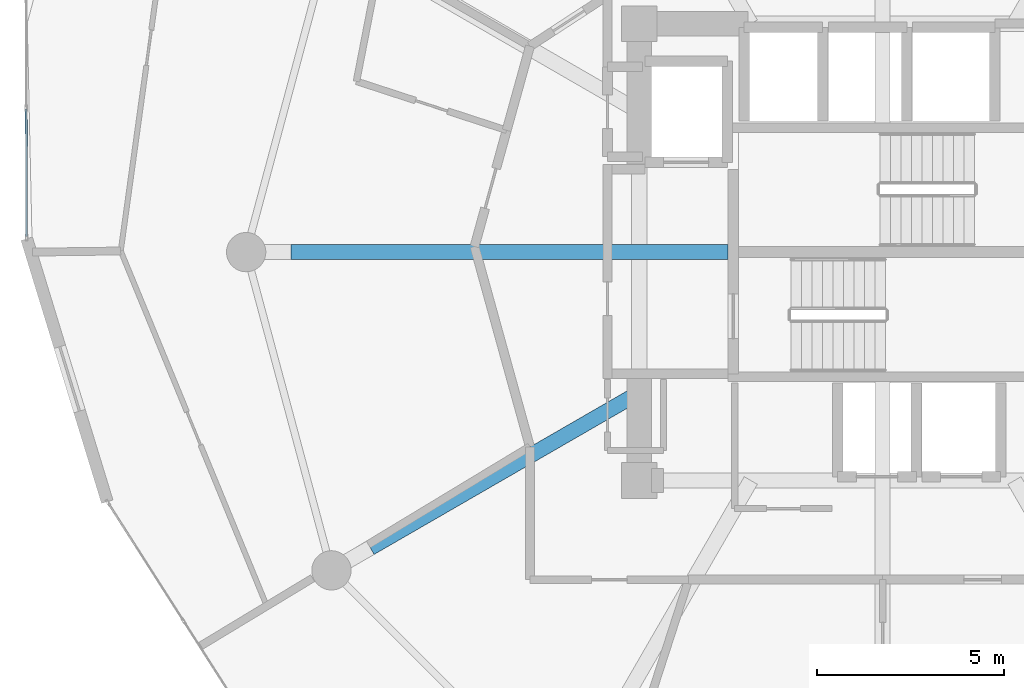
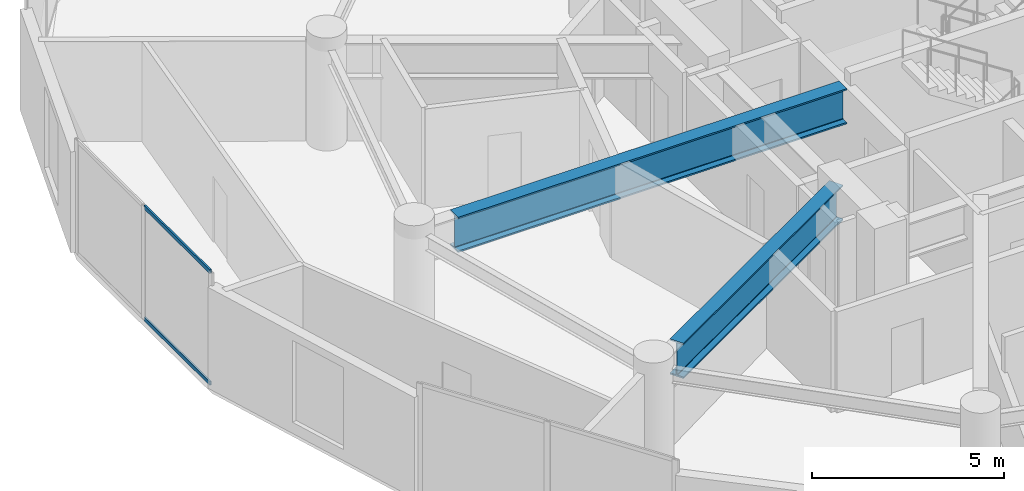
# One storey, part 6 of 22: 2 beams, 2 members, 1 element without a shape of its own.
"""IFC4 building model written with IfcOpenShell, lengths in metres."""

from ifc_helpers import new_model, si_unit, direction, frame, origin, origin_2d, place, context, subcontext, project, spatial, hollow_rectangle, i_section, extrude, source, transform, mapped, material, layer, layer_set, material_profile, profile_set, type_object, element, aggregate, save


model = new_model("IFC4")

# Units and contexts
model_context = context("Model", 3, precision=1e-05, world=origin(), true_north=direction((0.0, 1.0)))
body_context = subcontext(model_context, "Body", "Model", "MODEL_VIEW")
ifc_project = project(units=[si_unit("LENGTHUNIT", "METRE"), si_unit("AREAUNIT", "SQUARE_METRE"), si_unit("VOLUMEUNIT", "CUBIC_METRE"), si_unit("PLANEANGLEUNIT", "RADIAN"), si_unit("MASSUNIT", "GRAM", prefix="KILO")], contexts=[model_context])

# Site, building, storey
site_placement = place(None, origin())
site = spatial("IfcSite", under=ifc_project, at=site_placement, CompositionType="ELEMENT")
building_placement = place(site_placement, origin())
building = spatial("IfcBuilding", under=site, at=building_placement, Name="Solvirekh Grand Hotel", CompositionType="ELEMENT")
storey_placement = place(building_placement, frame((0.0, 0.0, 160.199951171875)))
storey = spatial("IfcBuildingStorey", under=building, at=storey_placement, Name="L41", CompositionType="ELEMENT", Elevation=160.199951171875)

# Beams
ifc_material_1 = material(Name="Steel S460", Category="steel")
ifc_material_profile_1 = material_profile(ifc_material_1, i_section(OverallWidth=0.405029296875, OverallDepth=1.117919921875, WebThickness=0.02587890625, FlangeThickness=0.048095703125, FilletRadius=0.02392578125, at=origin_2d()), Name="W1100X499")
ifc_profile_set_1 = profile_set([ifc_material_profile_1], Name="Steel S460")
beam_type = type_object("IfcBeamType", Name="TransferGirder_W1100", PredefinedType="USERDEFINED", material=ifc_profile_set_1)
beam_1_placement = place(storey_placement, frame((-4.1298828125, 0.0, 2.64111328125), z_axis=(-1.0, 0.0, 0.0), x_axis=(0.0, -1.0, 0.0)))
element("IfcBeam", 1, at=beam_1_placement, inside=storey, type_object=beam_type, Name="L41 inner radial transfer girder 7A", ObjectType="TRANSFER GIRDER", PredefinedType="USERDEFINED", context=body_context, shape_type="SweptSolid", body=[
    extrude(i_section(OverallWidth=0.405029296875, OverallDepth=1.117919921875, WebThickness=0.02587890625, FlangeThickness=0.048095703125, FilletRadius=0.02392578125, at=origin_2d()), origin(), (0.0, 0.0, 1.0), 11.670166015625),
])
beam_2_placement = place(storey_placement, frame((-6.5, -3.751953125, 2.64111328125), z_axis=(-0.865984612176, -0.500070646484, 0.0), x_axis=(0.500070646484, -0.865984612176, 0.0)))
element("IfcBeam", 2, at=beam_2_placement, inside=storey, type_object=beam_type, Name="L41 inner radial transfer girder 8A", ObjectType="TRANSFER GIRDER", PredefinedType="USERDEFINED", context=body_context, shape_type="SweptSolid", body=[
    extrude(i_section(OverallWidth=0.405029296875, OverallDepth=1.117919921875, WebThickness=0.02587890625, FlangeThickness=0.048095703125, FilletRadius=0.02392578125, at=origin_2d()), origin(), (0.0, 0.0, 1.0), 8.294677734375),
])

# Curtain wall, members
ifc_material_2 = material(Name="Anodized Bronze Aluminium 6063-T6", Category="aluminium")
ifc_layer = layer(ifc_material_2, 0.175048828125)
ifc_layer_set = layer_set([ifc_layer], Name="Anodized Bronze Aluminium 6063-T6")
curtain_wall_type = type_object("IfcCurtainWallType", Name="CW_Sys3_MidZoneFlushBronzeCW", PredefinedType="NOTDEFINED", material=ifc_layer_set)
curtain_wall_placement = place(storey_placement, origin())
curtain_wall = element("IfcCurtainWall", 3, at=curtain_wall_placement, inside=storey, type_object=curtain_wall_type, Name="L41 unitised bronze-glass curtain wall CW-L41-C13", PredefinedType="NOTDEFINED")
ifc_material_profile_2 = material_profile(ifc_material_2, hollow_rectangle(XDim=0.054931640625, YDim=0.1201171875, WallThickness=0.00390625, at=origin_2d()), Name="ALU RHS 120X55X4")
ifc_profile_set_2 = profile_set([ifc_material_profile_2], Name="Anodized Bronze Aluminium 6063-T6")
member_type = type_object("IfcMemberType", Name="CWTransom_Sys3", PredefinedType="USERDEFINED", material=ifc_profile_set_2)
shared_shape = source(origin(), body_context, "Body", "SweptSolid", [
    extrude(hollow_rectangle(XDim=0.054931640625, YDim=0.1201171875, WallThickness=0.00390625, at=origin_2d()), origin(), (0.0, 0.0, 1.0), 3.3974609375),
])
member_1_placement = place(storey_placement, frame((-22.87548828125, 3.820556640625, 0.027587890625), z_axis=(0.003880396195, -0.999992471234, 0.0), x_axis=(0.999992471234, 0.003880396195, 0.0)))
member_1 = element("IfcMember", 4, at=member_1_placement, type_object=member_type, Name="U03 transom 2.1", ObjectType="TRANSOM", PredefinedType="USERDEFINED", context=body_context, shape_type="MappedRepresentation", body=[
    mapped(shared_shape, transform((0.0, 0.0, 0.0), x_axis=(1.0, 0.0, 0.0), y_axis=(0.0, 1.0, 0.0), z_axis=(0.0, 0.0, 1.0), scale=1.0)),
])
member_2_placement = place(storey_placement, frame((-22.87548828125, 3.820556640625, 3.572509765625), z_axis=(0.003880396195, -0.999992471234, 0.0), x_axis=(0.999992471234, 0.003880396195, 0.0)))
member_2 = element("IfcMember", 5, at=member_2_placement, type_object=member_type, Name="U03 transom 2.2", ObjectType="TRANSOM", PredefinedType="USERDEFINED", context=body_context, shape_type="MappedRepresentation", body=[
    mapped(shared_shape, transform((0.0, 0.0, 0.0), x_axis=(1.0, 0.0, 0.0), y_axis=(0.0, 1.0, 0.0), z_axis=(0.0, 0.0, 1.0), scale=1.0)),
])
aggregate(curtain_wall, [member_1, member_2])

save(model, "model.ifc")
